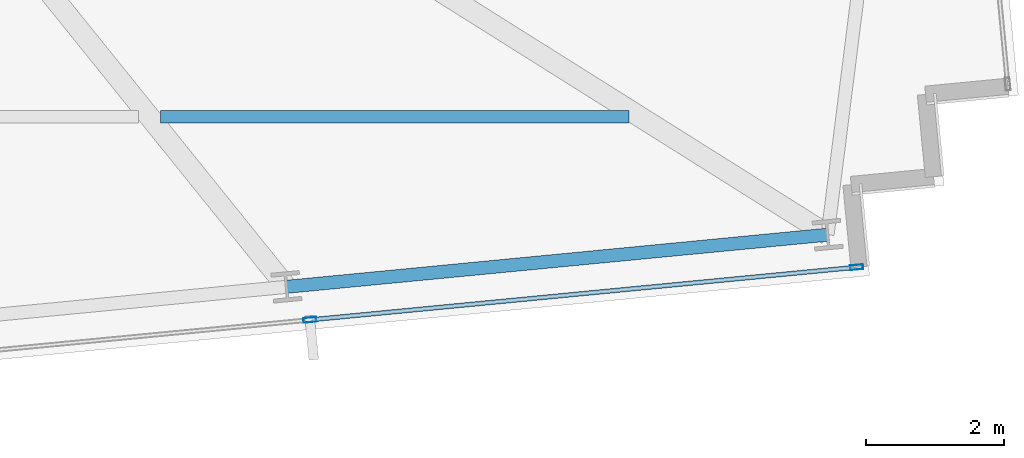
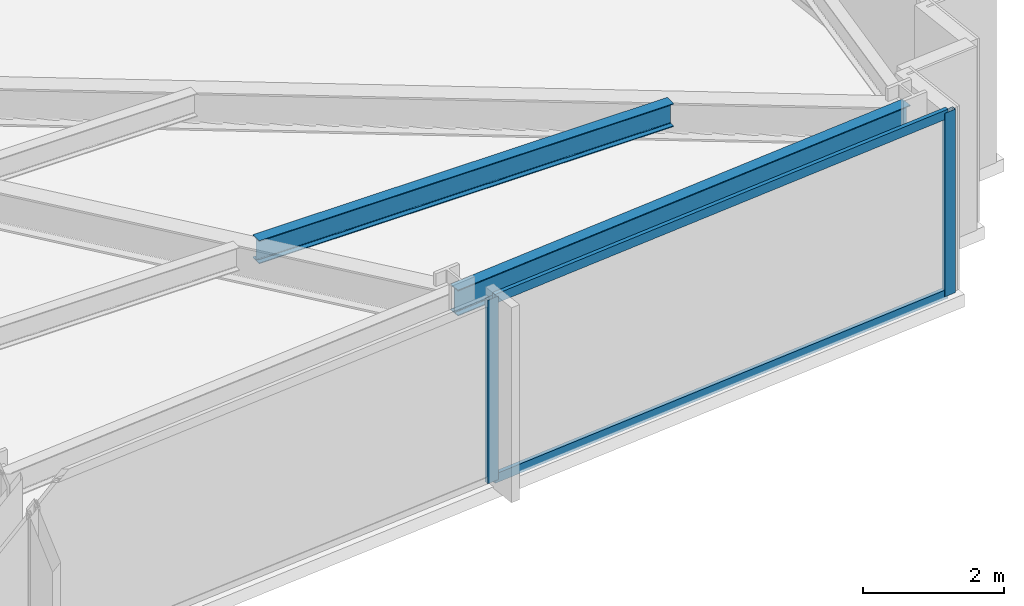
# One storey, part 12 of 32: 4 members, 2 beams, 1 element without a shape of its own.
"""IFC4 building model written with IfcOpenShell, lengths in metres."""

from ifc_helpers import new_model, si_unit, direction, frame, origin, origin_2d, place, context, subcontext, project, spatial, hollow_rectangle, i_section, extrude, material, material_profile, profile_set, type_object, element, aggregate, save


model = new_model("IFC4")

# Units and contexts
model_context = context("Model", 3, precision=1e-05, world=origin(), true_north=direction((0.0, 1.0)))
body_context = subcontext(model_context, "Body", "Model", "MODEL_VIEW")
ifc_project = project(units=[si_unit("LENGTHUNIT", "METRE"), si_unit("AREAUNIT", "SQUARE_METRE"), si_unit("VOLUMEUNIT", "CUBIC_METRE"), si_unit("PLANEANGLEUNIT", "RADIAN"), si_unit("MASSUNIT", "GRAM", prefix="KILO")], contexts=[model_context])

# Site, building, storey
site_placement = place(None, origin())
site = spatial("IfcSite", under=ifc_project, at=site_placement, CompositionType="ELEMENT")
building_placement = place(site_placement, origin())
building = spatial("IfcBuilding", under=site, at=building_placement, Name="Yelkora Congress Tower", CompositionType="ELEMENT")
storey_placement = place(building_placement, frame((0.0, 0.0, 116.89990234375)))
storey = spatial("IfcBuildingStorey", under=building, at=storey_placement, Name="L31", CompositionType="ELEMENT", Elevation=116.89990234375)

# Beams
ifc_material_1 = material(Name="Steel S355J2", Category="steel")
ifc_material_profile_1 = material_profile(ifc_material_1, i_section(OverallWidth=0.179931640625, OverallDepth=0.39990234375, WebThickness=0.008544921875, FlangeThickness=0.013427734375, FilletRadius=0.02099609375, at=origin_2d()), Name="IPE 400")
ifc_profile_set_1 = profile_set([ifc_material_profile_1], Name="Steel S355J2")
beam_type_1 = type_object("IfcBeamType", Name="BM-JOIST-IPE400", PredefinedType="JOIST", material=ifc_profile_set_1)
beam_1_placement = place(storey_placement, frame((65.056396484375, 16.144287109375, 2.97998046875), z_axis=(1.0, 0.0, 0.0), x_axis=(0.0, 1.0, 0.0)))
element("IfcBeam", 1, at=beam_1_placement, inside=storey, type_object=beam_type_1, Name="L31 Composite Floor Joist 10", PredefinedType="JOIST", context=body_context, shape_type="SweptSolid", body=[
    extrude(i_section(OverallWidth=0.179931640625, OverallDepth=0.39990234375, WebThickness=0.008544921875, FlangeThickness=0.013427734375, FilletRadius=0.02099609375, at=origin_2d()), origin(), (0.0, 0.0, 1.0), 6.795166015625),
])
ifc_material_profile_2 = material_profile(ifc_material_1, i_section(OverallWidth=0.18994140625, OverallDepth=0.449951171875, WebThickness=0.009521484375, FlangeThickness=0.0146484375, FilletRadius=0.02099609375, at=origin_2d()), Name="IPE 450")
ifc_profile_set_2 = profile_set([ifc_material_profile_2], Name="Steel S355J2")
beam_type_2 = type_object("IfcBeamType", Name="BM-SPAN-IPE450", PredefinedType="SPANDREL", material=ifc_profile_set_2)
beam_2_placement = place(storey_placement, frame((66.882568359375, 13.67919921875, 2.955078125), z_axis=(0.995395575667, 0.095852219286, 0.0), x_axis=(-0.095852219286, 0.995395575667, 0.0)))
element("IfcBeam", 2, at=beam_2_placement, inside=storey, type_object=beam_type_2, Name="L31 Perimeter Beam 9", PredefinedType="SPANDREL", context=body_context, shape_type="SweptSolid", body=[
    extrude(i_section(OverallWidth=0.18994140625, OverallDepth=0.449951171875, WebThickness=0.009521484375, FlangeThickness=0.0146484375, FilletRadius=0.02099609375, at=origin_2d()), origin(), (0.0, 0.0, 1.0), 7.8857421875),
])

# Curtain wall, members
ifc_material_2 = material(Name="Anodised aluminium and insulated glass", Category="aluminium")
curtain_wall_type = type_object("IfcCurtainWallType", Name="CW-SYS-B2", PredefinedType="NOTDEFINED", material=ifc_material_2)
curtain_wall_placement = place(storey_placement, origin())
curtain_wall = element("IfcCurtainWall", 3, at=curtain_wall_placement, inside=storey, type_object=curtain_wall_type, Name="L31 Unitised Curtain Wall 20", PredefinedType="NOTDEFINED")
ifc_material_3 = material(Name="Anodised aluminium 6063-T6", Category="aluminium")
ifc_material_profile_3 = material_profile(ifc_material_3, hollow_rectangle(XDim=0.070068359375, YDim=0.18994140625, WallThickness=0.00390625, at=origin_2d()), Name="ALU 70x190x4")
ifc_profile_set_3 = profile_set([ifc_material_profile_3], Name="Anodised aluminium 6063-T6")
member_type_1 = type_object("IfcMemberType", Name="MEM-ML-B2", PredefinedType="MULLION", material=ifc_profile_set_3)
member_1_placement = place(storey_placement, frame((75.154052734375, 13.96337890625, 0.0), z_axis=(0.0, 0.0, 1.0), x_axis=(0.095844345816, -0.995396333816, 0.0)))
member_1 = element("IfcMember", 4, at=member_1_placement, type_object=member_type_1, Name="CW-B2 mullion 1", PredefinedType="MULLION", context=body_context, shape_type="SweptSolid", body=[
    extrude(hollow_rectangle(XDim=0.070068359375, YDim=0.18994140625, WallThickness=0.00390625, at=origin_2d()), origin(), (0.0, 0.0, 1.0), 3.18017578125),
])
member_2_placement = place(storey_placement, frame((67.222900390625, 13.19970703125, 0.0), z_axis=(0.0, 0.0, 1.0), x_axis=(0.095844345816, -0.995396333816, 0.0)))
member_2 = element("IfcMember", 5, at=member_2_placement, type_object=member_type_1, Name="CW-B2 mullion 2", PredefinedType="MULLION", context=body_context, shape_type="SweptSolid", body=[
    extrude(hollow_rectangle(XDim=0.070068359375, YDim=0.18994140625, WallThickness=0.00390625, at=origin_2d()), origin(), (0.0, 0.0, 1.0), 3.18017578125),
])
ifc_material_profile_4 = material_profile(ifc_material_3, hollow_rectangle(XDim=0.06494140625, YDim=0.159912109375, WallThickness=0.00390625, at=origin_2d()), Name="ALU 65x160x4")
ifc_profile_set_4 = profile_set([ifc_material_profile_4], Name="Anodised aluminium 6063-T6")
member_type_2 = type_object("IfcMemberType", Name="MEM-TR-B2", PredefinedType="USERDEFINED", material=ifc_profile_set_4)
member_3_placement = place(storey_placement, frame((75.119140625, 13.9599609375, 0.03271484375), z_axis=(-0.995397978421, -0.095827264157, 0.0), x_axis=(0.095827264157, -0.995397978421, 0.0)))
member_3 = element("IfcMember", 6, at=member_3_placement, type_object=member_type_2, Name="CW-B2 transom 1.1", ObjectType="TRANSOM", PredefinedType="USERDEFINED", context=body_context, shape_type="SweptSolid", body=[
    extrude(hollow_rectangle(XDim=0.06494140625, YDim=0.159912109375, WallThickness=0.00390625, at=origin_2d()), origin(), (0.0, 0.0, 1.0), 7.89794921875),
])
member_4_placement = place(storey_placement, frame((75.119140625, 13.9599609375, 3.147705078125), z_axis=(-0.995397978421, -0.095827264157, 0.0), x_axis=(0.095827264157, -0.995397978421, 0.0)))
member_4 = element("IfcMember", 7, at=member_4_placement, type_object=member_type_2, Name="CW-B2 transom 1.2", ObjectType="TRANSOM", PredefinedType="USERDEFINED", context=body_context, shape_type="SweptSolid", body=[
    extrude(hollow_rectangle(XDim=0.06494140625, YDim=0.159912109375, WallThickness=0.00390625, at=origin_2d()), origin(), (0.0, 0.0, 1.0), 7.89794921875),
])
aggregate(curtain_wall, [member_1, member_2, member_3, member_4])

save(model, "model.ifc")
